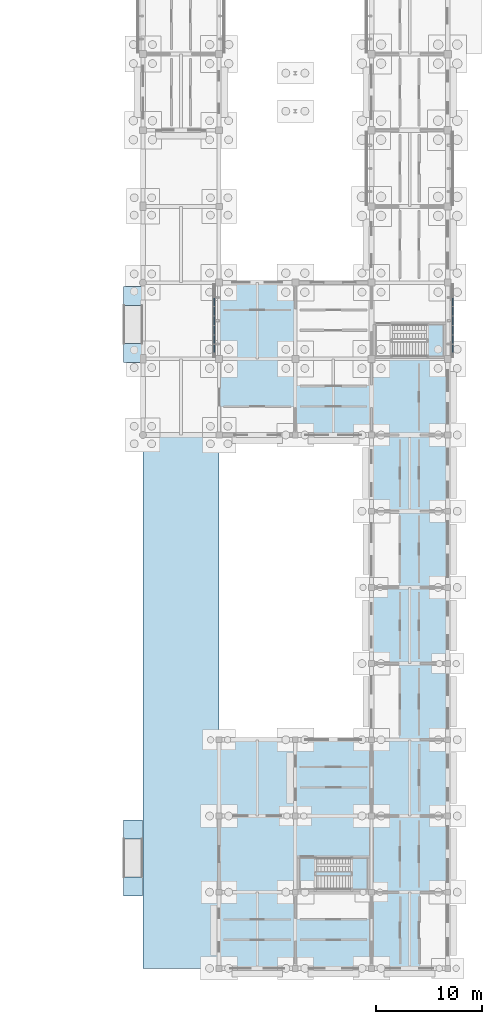
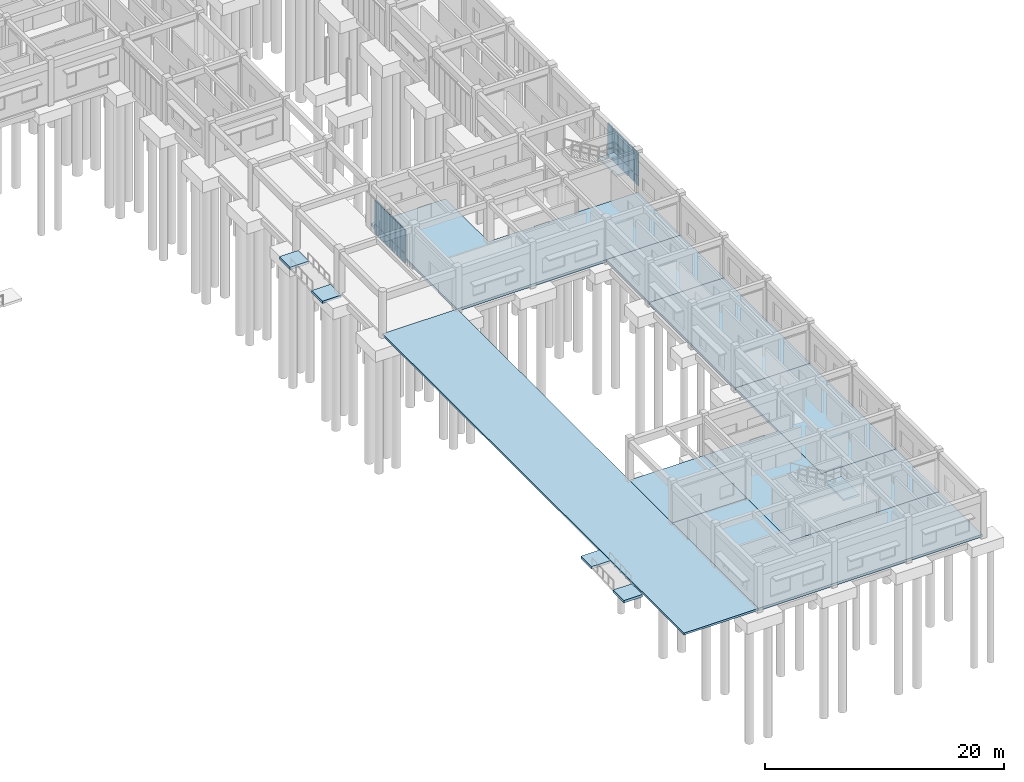
# One storey, part 55 of 111: 24 plates, 14 slabs, 4 elements without a shape of their own.
"""IFC4 building model written with IfcOpenShell, lengths in metres."""

from ifc_helpers import new_model, si_unit, direction, frame, origin, origin_2d, place, context, subcontext, project, spatial, polyline, rectangle, outline, extrude, material, layer, layer_set, type_object, element, aggregate, save


model = new_model("IFC4")

# Units and contexts
model_context = context("Model", 3, precision=1e-05, world=origin(), true_north=direction((0.0, 1.0)))
body_context = subcontext(model_context, "Body", "Model", "MODEL_VIEW")
ifc_project = project(units=[si_unit("LENGTHUNIT", "METRE"), si_unit("AREAUNIT", "SQUARE_METRE"), si_unit("VOLUMEUNIT", "CUBIC_METRE"), si_unit("PLANEANGLEUNIT", "RADIAN"), si_unit("MASSUNIT", "GRAM", prefix="KILO")], contexts=[model_context])

# Site, building, storey
site_placement = place(None, origin())
site = spatial("IfcSite", under=ifc_project, at=site_placement, CompositionType="ELEMENT")
building_placement = place(site_placement, origin())
building = spatial("IfcBuilding", under=site, at=building_placement, Name="Aldebral Square Health Centre", CompositionType="ELEMENT")
storey_placement = place(building_placement, origin())
storey = spatial("IfcBuildingStorey", under=building, at=storey_placement, Name="L00", CompositionType="ELEMENT", Elevation=0.0)

# Curtain wall, plates
ifc_material_1 = material(Name="Aluminium and low-E solar glass", Category="aluminium")
curtain_wall_type = type_object("IfcCurtainWallType", Name="CW-FIN-SYS", PredefinedType="USERDEFINED", material=ifc_material_1)
curtain_wall_1_placement = place(storey_placement, origin())
curtain_wall_1 = element("IfcCurtainWall", 1, at=curtain_wall_1_placement, inside=storey, type_object=curtain_wall_type, Name="L00 V5 finned curtain wall L00-V5-20-08-W", ObjectType="SOLAR_CURTAIN_WALL", PredefinedType="USERDEFINED")
ifc_material_2 = material(Name="Solar-control low-E double glass", Category="glass")
ifc_layer_1 = layer(ifc_material_2, 0.080078125, Name="Solar-control low-E double glass", Category="glass")
ifc_layer_set_1 = layer_set([ifc_layer_1], Name="Solar-control low-E double glass")
plate_type_1 = type_object("IfcPlateType", Name="CWP-GLZ-7", PredefinedType="CURTAIN_PANEL", material=ifc_layer_set_1)
plate_1_placement = place(storey_placement, frame((143.5400390625, 62.98291015625, 0.074951171875), z_axis=(0.0, 0.0, 1.0), x_axis=(0.0, -1.0, 0.0)))
plate_1 = element("IfcPlate", 2, at=plate_1_placement, type_object=plate_type_1, Name="CW1 panel 2.1", PredefinedType="CURTAIN_PANEL", context=body_context, shape_type="SweptSolid", body=[
    extrude(rectangle(XDim=0.7314453125, YDim=0.080078125, at=origin_2d()), origin(), (0.0, 0.0, 1.0), 0.9375),
])
plate_2_placement = place(storey_placement, frame((143.5400390625, 62.98291015625, 1.087646484375), z_axis=(0.0, 0.0, 1.0), x_axis=(0.0, -1.0, 0.0)))
plate_2 = element("IfcPlate", 3, at=plate_2_placement, type_object=plate_type_1, Name="CW1 panel 2.2", PredefinedType="CURTAIN_PANEL", context=body_context, shape_type="SweptSolid", body=[
    extrude(rectangle(XDim=0.7314453125, YDim=0.080078125, at=origin_2d()), origin(), (0.0, 0.0, 1.0), 2.357421875),
])
plate_3_placement = place(storey_placement, frame((143.5400390625, 62.09130859375, 0.074951171875), z_axis=(0.0, 0.0, 1.0), x_axis=(0.0, -1.0, 0.0)))
plate_3 = element("IfcPlate", 4, at=plate_3_placement, type_object=plate_type_1, Name="CW1 panel 3.1", PredefinedType="CURTAIN_PANEL", context=body_context, shape_type="SweptSolid", body=[
    extrude(rectangle(XDim=0.7314453125, YDim=0.080078125, at=origin_2d()), origin(), (0.0, 0.0, 1.0), 0.9375),
])
plate_4_placement = place(storey_placement, frame((143.5400390625, 62.09130859375, 1.087646484375), z_axis=(0.0, 0.0, 1.0), x_axis=(0.0, -1.0, 0.0)))
plate_4 = element("IfcPlate", 5, at=plate_4_placement, type_object=plate_type_1, Name="CW1 panel 3.2", PredefinedType="CURTAIN_PANEL", context=body_context, shape_type="SweptSolid", body=[
    extrude(rectangle(XDim=0.7314453125, YDim=0.080078125, at=origin_2d()), origin(), (0.0, 0.0, 1.0), 2.357421875),
])
plate_5_placement = place(storey_placement, frame((143.5400390625, 61.199951171875, 0.074951171875), z_axis=(0.0, 0.0, 1.0), x_axis=(0.0, -1.0, 0.0)))
plate_5 = element("IfcPlate", 6, at=plate_5_placement, type_object=plate_type_1, Name="CW1 panel 4.1", PredefinedType="CURTAIN_PANEL", context=body_context, shape_type="SweptSolid", body=[
    extrude(rectangle(XDim=0.7314453125, YDim=0.080078125, at=origin_2d()), origin(), (0.0, 0.0, 1.0), 0.9375),
])
plate_6_placement = place(storey_placement, frame((143.5400390625, 61.199951171875, 1.087646484375), z_axis=(0.0, 0.0, 1.0), x_axis=(0.0, -1.0, 0.0)))
plate_6 = element("IfcPlate", 7, at=plate_6_placement, type_object=plate_type_1, Name="CW1 panel 4.2", PredefinedType="CURTAIN_PANEL", context=body_context, shape_type="SweptSolid", body=[
    extrude(rectangle(XDim=0.7314453125, YDim=0.080078125, at=origin_2d()), origin(), (0.0, 0.0, 1.0), 2.357421875),
])
plate_7_placement = place(storey_placement, frame((143.5400390625, 60.30859375, 0.074951171875), z_axis=(0.0, 0.0, 1.0), x_axis=(0.0, -1.0, 0.0)))
plate_7 = element("IfcPlate", 8, at=plate_7_placement, type_object=plate_type_1, Name="CW1 panel 5.1", PredefinedType="CURTAIN_PANEL", context=body_context, shape_type="SweptSolid", body=[
    extrude(rectangle(XDim=0.7314453125, YDim=0.080078125, at=origin_2d()), origin(), (0.0, 0.0, 1.0), 0.9375),
])
plate_8_placement = place(storey_placement, frame((143.5400390625, 60.30859375, 1.087646484375), z_axis=(0.0, 0.0, 1.0), x_axis=(0.0, -1.0, 0.0)))
plate_8 = element("IfcPlate", 9, at=plate_8_placement, type_object=plate_type_1, Name="CW1 panel 5.2", PredefinedType="CURTAIN_PANEL", context=body_context, shape_type="SweptSolid", body=[
    extrude(rectangle(XDim=0.7314453125, YDim=0.080078125, at=origin_2d()), origin(), (0.0, 0.0, 1.0), 2.357421875),
])
plate_9_placement = place(storey_placement, frame((143.5400390625, 59.417236328125, 0.074951171875), z_axis=(0.0, 0.0, 1.0), x_axis=(0.0, -1.0, 0.0)))
plate_9 = element("IfcPlate", 10, at=plate_9_placement, type_object=plate_type_1, Name="CW1 panel 6.1", PredefinedType="CURTAIN_PANEL", context=body_context, shape_type="SweptSolid", body=[
    extrude(rectangle(XDim=0.7314453125, YDim=0.080078125, at=origin_2d()), origin(), (0.0, 0.0, 1.0), 0.9375),
])
plate_10_placement = place(storey_placement, frame((143.5400390625, 59.417236328125, 1.087646484375), z_axis=(0.0, 0.0, 1.0), x_axis=(0.0, -1.0, 0.0)))
plate_10 = element("IfcPlate", 11, at=plate_10_placement, type_object=plate_type_1, Name="CW1 panel 6.2", PredefinedType="CURTAIN_PANEL", context=body_context, shape_type="SweptSolid", body=[
    extrude(rectangle(XDim=0.7314453125, YDim=0.080078125, at=origin_2d()), origin(), (0.0, 0.0, 1.0), 2.357421875),
])
plate_11_placement = place(storey_placement, frame((143.5400390625, 58.565673828125, 0.074951171875), z_axis=(0.0, 0.0, 1.0), x_axis=(0.0, -1.0, 0.0)))
plate_11 = element("IfcPlate", 12, at=plate_11_placement, type_object=plate_type_1, Name="CW1 panel 7.1", PredefinedType="CURTAIN_PANEL", context=body_context, shape_type="SweptSolid", body=[
    extrude(rectangle(XDim=0.6513671875, YDim=0.080078125, at=origin_2d()), origin(), (0.0, 0.0, 1.0), 0.9375),
])
plate_12_placement = place(storey_placement, frame((143.5400390625, 58.565673828125, 1.087646484375), z_axis=(0.0, 0.0, 1.0), x_axis=(0.0, -1.0, 0.0)))
plate_12 = element("IfcPlate", 13, at=plate_12_placement, type_object=plate_type_1, Name="CW1 panel 7.2", PredefinedType="CURTAIN_PANEL", context=body_context, shape_type="SweptSolid", body=[
    extrude(rectangle(XDim=0.6513671875, YDim=0.080078125, at=origin_2d()), origin(), (0.0, 0.0, 1.0), 2.357421875),
])
aggregate(curtain_wall_1, [plate_1, plate_2, plate_3, plate_4, plate_5, plate_6, plate_7, plate_8, plate_9, plate_10, plate_11, plate_12])

curtain_wall_2_placement = place(storey_placement, origin())
curtain_wall_2 = element("IfcCurtainWall", 14, at=curtain_wall_2_placement, inside=storey, type_object=curtain_wall_type, Name="L00 V5 finned curtain wall L00-V5-22-08-E", ObjectType="SOLAR_CURTAIN_WALL", PredefinedType="USERDEFINED")
ifc_layer_2 = layer(ifc_material_2, 0.090087890625, Name="Solar-control low-E double glass", Category="glass")
ifc_layer_set_2 = layer_set([ifc_layer_2], Name="Solar-control low-E double glass")
plate_type_2 = type_object("IfcPlateType", Name="CWP-GLZ-8", PredefinedType="CURTAIN_PANEL", material=ifc_layer_set_2)
plate_13_placement = place(storey_placement, frame((166.06005859375, 58.565673828125, 0.074951171875), z_axis=(0.0, 0.0, 1.0), x_axis=(0.0, 1.0, 0.0)))
plate_13 = element("IfcPlate", 15, at=plate_13_placement, type_object=plate_type_2, Name="CW1 panel 1.1", PredefinedType="CURTAIN_PANEL", context=body_context, shape_type="SweptSolid", body=[
    extrude(rectangle(XDim=0.6513671875, YDim=0.090087890625, at=origin_2d()), origin(), (0.0, 0.0, 1.0), 0.9375),
])
plate_14_placement = place(storey_placement, frame((166.06005859375, 58.565673828125, 1.087646484375), z_axis=(0.0, 0.0, 1.0), x_axis=(0.0, 1.0, 0.0)))
plate_14 = element("IfcPlate", 16, at=plate_14_placement, type_object=plate_type_2, Name="CW1 panel 1.2", PredefinedType="CURTAIN_PANEL", context=body_context, shape_type="SweptSolid", body=[
    extrude(rectangle(XDim=0.6513671875, YDim=0.090087890625, at=origin_2d()), origin(), (0.0, 0.0, 1.0), 2.357421875),
])
plate_15_placement = place(storey_placement, frame((166.06005859375, 59.417236328125, 0.074951171875), z_axis=(0.0, 0.0, 1.0), x_axis=(0.0, 1.0, 0.0)))
plate_15 = element("IfcPlate", 17, at=plate_15_placement, type_object=plate_type_2, Name="CW1 panel 2.1", PredefinedType="CURTAIN_PANEL", context=body_context, shape_type="SweptSolid", body=[
    extrude(rectangle(XDim=0.7314453125, YDim=0.090087890625, at=origin_2d()), origin(), (0.0, 0.0, 1.0), 0.9375),
])
plate_16_placement = place(storey_placement, frame((166.06005859375, 59.417236328125, 1.087646484375), z_axis=(0.0, 0.0, 1.0), x_axis=(0.0, 1.0, 0.0)))
plate_16 = element("IfcPlate", 18, at=plate_16_placement, type_object=plate_type_2, Name="CW1 panel 2.2", PredefinedType="CURTAIN_PANEL", context=body_context, shape_type="SweptSolid", body=[
    extrude(rectangle(XDim=0.7314453125, YDim=0.090087890625, at=origin_2d()), origin(), (0.0, 0.0, 1.0), 2.357421875),
])
plate_17_placement = place(storey_placement, frame((166.06005859375, 60.30859375, 0.074951171875), z_axis=(0.0, 0.0, 1.0), x_axis=(0.0, 1.0, 0.0)))
plate_17 = element("IfcPlate", 19, at=plate_17_placement, type_object=plate_type_2, Name="CW1 panel 3.1", PredefinedType="CURTAIN_PANEL", context=body_context, shape_type="SweptSolid", body=[
    extrude(rectangle(XDim=0.7314453125, YDim=0.090087890625, at=origin_2d()), origin(), (0.0, 0.0, 1.0), 0.9375),
])
plate_18_placement = place(storey_placement, frame((166.06005859375, 60.30859375, 1.087646484375), z_axis=(0.0, 0.0, 1.0), x_axis=(0.0, 1.0, 0.0)))
plate_18 = element("IfcPlate", 20, at=plate_18_placement, type_object=plate_type_2, Name="CW1 panel 3.2", PredefinedType="CURTAIN_PANEL", context=body_context, shape_type="SweptSolid", body=[
    extrude(rectangle(XDim=0.7314453125, YDim=0.090087890625, at=origin_2d()), origin(), (0.0, 0.0, 1.0), 2.357421875),
])
plate_19_placement = place(storey_placement, frame((166.06005859375, 61.199951171875, 0.074951171875), z_axis=(0.0, 0.0, 1.0), x_axis=(0.0, 1.0, 0.0)))
plate_19 = element("IfcPlate", 21, at=plate_19_placement, type_object=plate_type_2, Name="CW1 panel 4.1", PredefinedType="CURTAIN_PANEL", context=body_context, shape_type="SweptSolid", body=[
    extrude(rectangle(XDim=0.7314453125, YDim=0.090087890625, at=origin_2d()), origin(), (0.0, 0.0, 1.0), 0.9375),
])
plate_20_placement = place(storey_placement, frame((166.06005859375, 61.199951171875, 1.087646484375), z_axis=(0.0, 0.0, 1.0), x_axis=(0.0, 1.0, 0.0)))
plate_20 = element("IfcPlate", 22, at=plate_20_placement, type_object=plate_type_2, Name="CW1 panel 4.2", PredefinedType="CURTAIN_PANEL", context=body_context, shape_type="SweptSolid", body=[
    extrude(rectangle(XDim=0.7314453125, YDim=0.090087890625, at=origin_2d()), origin(), (0.0, 0.0, 1.0), 2.357421875),
])
plate_21_placement = place(storey_placement, frame((166.06005859375, 62.09130859375, 0.074951171875), z_axis=(0.0, 0.0, 1.0), x_axis=(0.0, 1.0, 0.0)))
plate_21 = element("IfcPlate", 23, at=plate_21_placement, type_object=plate_type_2, Name="CW1 panel 5.1", PredefinedType="CURTAIN_PANEL", context=body_context, shape_type="SweptSolid", body=[
    extrude(rectangle(XDim=0.7314453125, YDim=0.090087890625, at=origin_2d()), origin(), (0.0, 0.0, 1.0), 0.9375),
])
plate_22_placement = place(storey_placement, frame((166.06005859375, 62.09130859375, 1.087646484375), z_axis=(0.0, 0.0, 1.0), x_axis=(0.0, 1.0, 0.0)))
plate_22 = element("IfcPlate", 24, at=plate_22_placement, type_object=plate_type_2, Name="CW1 panel 5.2", PredefinedType="CURTAIN_PANEL", context=body_context, shape_type="SweptSolid", body=[
    extrude(rectangle(XDim=0.7314453125, YDim=0.090087890625, at=origin_2d()), origin(), (0.0, 0.0, 1.0), 2.357421875),
])
plate_23_placement = place(storey_placement, frame((166.06005859375, 62.98291015625, 0.074951171875), z_axis=(0.0, 0.0, 1.0), x_axis=(0.0, 1.0, 0.0)))
plate_23 = element("IfcPlate", 25, at=plate_23_placement, type_object=plate_type_2, Name="CW1 panel 6.1", PredefinedType="CURTAIN_PANEL", context=body_context, shape_type="SweptSolid", body=[
    extrude(rectangle(XDim=0.7314453125, YDim=0.090087890625, at=origin_2d()), origin(), (0.0, 0.0, 1.0), 0.9375),
])
plate_24_placement = place(storey_placement, frame((166.06005859375, 62.98291015625, 1.087646484375), z_axis=(0.0, 0.0, 1.0), x_axis=(0.0, 1.0, 0.0)))
plate_24 = element("IfcPlate", 26, at=plate_24_placement, type_object=plate_type_2, Name="CW1 panel 6.2", PredefinedType="CURTAIN_PANEL", context=body_context, shape_type="SweptSolid", body=[
    extrude(rectangle(XDim=0.7314453125, YDim=0.090087890625, at=origin_2d()), origin(), (0.0, 0.0, 1.0), 2.357421875),
])
aggregate(curtain_wall_2, [plate_13, plate_14, plate_15, plate_16, plate_17, plate_18, plate_19, plate_20, plate_21, plate_22, plate_23, plate_24])

# Slabs
ifc_material_3 = material(Name="Concrete C35/45", Category="concrete")
ifc_layer_3 = layer(ifc_material_3, 0.25, Name="Concrete C35/45", Category="concrete")
ifc_layer_set_3 = layer_set([ifc_layer_3], Name="Concrete C35/45")
slab_type_1 = type_object("IfcSlabType", Name="SL-BASE-250", PredefinedType="BASESLAB", material=ifc_layer_set_3)
slab_1_placement = place(storey_placement, frame((0.0, 0.0, -0.25)))
element("IfcSlab", 27, at=slab_1_placement, inside=storey, type_object=slab_type_1, Name="L00 V3 base slab 1", PredefinedType="BASESLAB", context=body_context, shape_type="SweptSolid", body=[
    extrude(outline(polyline([(144.0, 7.199951171875), (144.0, 14.39990234375), (151.199951171875, 14.39990234375), (151.199951171875, 7.199951171875), (158.39990234375, 7.199951171875), (165.60009765625, 7.199951171875), (165.60009765625, 0.0), (158.39990234375, 0.0), (151.199951171875, 0.0), (144.0, 0.0), (144.0, 7.199951171875)])), origin(), (0.0, 0.0, 1.0), 0.25),
])
slab_2_placement = place(storey_placement, frame((0.0, 0.0, -0.25)))
element("IfcSlab", 28, at=slab_2_placement, inside=storey, type_object=slab_type_1, Name="L00 V3 base slab 2", PredefinedType="BASESLAB", context=body_context, shape_type="SweptSolid", body=[
    extrude(outline(polyline([(151.199951171875, 7.199951171875), (151.199951171875, 14.39990234375), (151.199951171875, 21.60009765625), (158.39990234375, 21.60009765625), (158.39990234375, 14.39990234375), (165.60009765625, 14.39990234375), (165.60009765625, 7.199951171875), (158.39990234375, 7.199951171875), (151.199951171875, 7.199951171875)])), origin(), (0.0, 0.0, 1.0), 0.25),
])
slab_3_placement = place(storey_placement, frame((0.0, 0.0, -0.25)))
element("IfcSlab", 29, at=slab_3_placement, inside=storey, type_object=slab_type_1, Name="L00 V3 base slab 3", PredefinedType="BASESLAB", context=body_context, shape_type="SweptSolid", body=[
    extrude(outline(polyline([(165.60009765625, 14.39990234375), (158.39990234375, 14.39990234375), (158.39990234375, 21.60009765625), (158.39990234375, 28.800048828125), (165.60009765625, 28.800048828125), (165.60009765625, 21.60009765625), (165.60009765625, 14.39990234375)])), origin(), (0.0, 0.0, 1.0), 0.25),
])
slab_4_placement = place(storey_placement, frame((0.0, 0.0, -0.25)))
element("IfcSlab", 30, at=slab_4_placement, inside=storey, type_object=slab_type_1, Name="L00 V3 base slab 4", PredefinedType="BASESLAB", context=body_context, shape_type="SweptSolid", body=[
    extrude(outline(polyline([(165.60009765625, 28.800048828125), (158.39990234375, 28.800048828125), (158.39990234375, 36.0), (158.39990234375, 43.199951171875), (165.60009765625, 43.199951171875), (165.60009765625, 36.0), (165.60009765625, 28.800048828125)])), origin(), (0.0, 0.0, 1.0), 0.25),
])
slab_5_placement = place(storey_placement, frame((0.0, 0.0, -0.25)))
element("IfcSlab", 31, at=slab_5_placement, inside=storey, type_object=slab_type_1, Name="L00 V3 base slab 5", PredefinedType="BASESLAB", context=body_context, shape_type="SweptSolid", body=[
    extrude(outline(polyline([(165.60009765625, 43.199951171875), (165.60009765625, 50.39990234375), (158.39990234375, 50.39990234375), (158.39990234375, 43.199951171875), (165.60009765625, 43.199951171875)])), origin(), (0.0, 0.0, 1.0), 0.25),
])
slab_6_placement = place(storey_placement, frame((0.0, 0.0, -0.25)))
element("IfcSlab", 32, at=slab_6_placement, inside=storey, type_object=slab_type_1, Name="L00 V5 base slab 6", PredefinedType="BASESLAB", context=body_context, shape_type="SweptSolid", body=[
    extrude(outline(polyline([(144.0, 57.60009765625), (144.0, 64.800048828125), (151.199951171875, 64.800048828125), (151.199951171875, 57.60009765625), (158.39990234375, 57.60009765625), (165.60009765625, 57.60009765625), (165.60009765625, 50.39990234375), (158.39990234375, 50.39990234375), (151.199951171875, 50.39990234375), (144.0, 50.39990234375), (144.0, 57.60009765625)])), origin(), (0.0, 0.0, 1.0), 0.25),
])
slab_7_placement = place(storey_placement, frame((0.0, 0.0, -0.429931640625)))
element("IfcSlab", 33, at=slab_7_placement, inside=storey, type_object=slab_type_1, Name="Therapy Pavilion Square Ramp lower approach landing", PredefinedType="BASESLAB", context=body_context, shape_type="SweptSolid", body=[
    extrude(outline(polyline([(136.75, 6.840087890625), (136.75, 8.639892578125), (134.949951171875, 8.639892578125), (134.949951171875, 6.840087890625), (136.75, 6.840087890625)])), origin(), (0.0, 0.0, 1.0), 0.25),
])
slab_8_placement = place(storey_placement, frame((0.0, 0.0, -0.25)))
element("IfcSlab", 34, at=slab_8_placement, inside=storey, type_object=slab_type_1, Name="Therapy Pavilion Square Ramp upper threshold landing", PredefinedType="BASESLAB", context=body_context, shape_type="SweptSolid", body=[
    extrude(outline(polyline([(136.75, 12.239990234375), (136.75, 14.0400390625), (134.949951171875, 14.0400390625), (134.949951171875, 12.239990234375), (136.75, 12.239990234375)])), origin(), (0.0, 0.0, 1.0), 0.25),
])
slab_9_placement = place(storey_placement, frame((0.0, 0.0, -0.429931640625)))
element("IfcSlab", 35, at=slab_9_placement, inside=storey, type_object=slab_type_1, Name="East Clinic Colonnade Ramp lower approach landing", PredefinedType="BASESLAB", context=body_context, shape_type="SweptSolid", body=[
    extrude(outline(polyline([(136.75, 57.239990234375), (136.75, 59.0400390625), (134.949951171875, 59.0400390625), (134.949951171875, 57.239990234375), (136.75, 57.239990234375)])), origin(), (0.0, 0.0, 1.0), 0.25),
])
slab_10_placement = place(storey_placement, frame((0.0, 0.0, -0.25)))
element("IfcSlab", 36, at=slab_10_placement, inside=storey, type_object=slab_type_1, Name="East Clinic Colonnade Ramp upper threshold landing", PredefinedType="BASESLAB", context=body_context, shape_type="SweptSolid", body=[
    extrude(outline(polyline([(136.75, 62.639892578125), (136.75, 64.43994140625), (134.949951171875, 64.43994140625), (134.949951171875, 62.639892578125), (136.75, 62.639892578125)])), origin(), (0.0, 0.0, 1.0), 0.25),
])
ifc_layer_4 = layer(ifc_material_3, 0.199951171875, Name="Concrete C35/45", Category="concrete")
ifc_layer_set_4 = layer_set([ifc_layer_4], Name="Concrete C35/45")
slab_type_2 = type_object("IfcSlabType", Name="SL-COL-200", PredefinedType="USERDEFINED", material=ifc_layer_set_4)
slab_11_placement = place(storey_placement, frame((0.0, 0.0, -0.199951171875)))
element("IfcSlab", 37, at=slab_11_placement, inside=storey, type_object=slab_type_2, Name="Aldebral Square colonnade paving 3", ObjectType="PAVING", PredefinedType="USERDEFINED", context=body_context, shape_type="SweptSolid", body=[
    extrude(outline(polyline([(151.199951171875, 14.39990234375), (144.0, 14.39990234375), (144.0, 21.60009765625), (151.199951171875, 21.60009765625), (151.199951171875, 14.39990234375)])), origin(), (0.0, 0.0, 1.0), 0.199951171875),
])
slab_12_placement = place(storey_placement, frame((0.0, 0.0, -0.199951171875)))
element("IfcSlab", 38, at=slab_12_placement, inside=storey, type_object=slab_type_2, Name="Ground entrance apron APR-E-V3.1", ObjectType="PAVING", PredefinedType="USERDEFINED", context=body_context, shape_type="SweptSolid", body=[
    extrude(outline(polyline([(144.0, 0.0), (136.800048828125, 0.0), (136.800048828125, 50.39990234375), (144.0, 50.39990234375), (144.0, 21.60009765625), (144.0, 14.39990234375), (144.0, 7.199951171875), (144.0, 0.0)])), origin(), (0.0, 0.0, 1.0), 0.199951171875),
])

# Stair, slab
stair_type = type_object("IfcStairType", Name="ST-DOG-140", PredefinedType="HALF_TURN_STAIR", material=ifc_material_3)
stair_1_placement = place(storey_placement, origin())
stair_1 = element("IfcStair", 39, at=stair_1_placement, inside=storey, type_object=stair_type, Name="L00 ST-08", PredefinedType="HALF_TURN_STAIR")
ifc_layer_5 = layer(ifc_material_3, 0.199951171875, Name="Concrete C35/45", Category="concrete")
ifc_layer_set_5 = layer_set([ifc_layer_5], Name="Concrete C35/45")
slab_type_3 = type_object("IfcSlabType", Name="SL-LND-200", PredefinedType="LANDING", material=ifc_layer_set_5)
slab_13_placement = place(storey_placement, frame((0.0, 0.0, 2.050048828125)))
slab_13 = element("IfcSlab", 40, at=slab_13_placement, type_object=slab_type_3, Name="ST-08 landing 1", PredefinedType="LANDING", context=body_context, shape_type="SweptSolid", body=[
    extrude(outline(polyline([(156.5, 7.43994140625), (158.02001953125, 7.43994140625), (158.02001953125, 10.43994140625), (156.5, 10.43994140625), (156.5, 7.43994140625)])), origin(), (0.0, 0.0, 1.0), 0.199951171875),
])
aggregate(stair_1, [slab_13])

stair_2_placement = place(storey_placement, origin())
stair_2 = element("IfcStair", 41, at=stair_2_placement, inside=storey, type_object=stair_type, Name="L00 ST-09", PredefinedType="HALF_TURN_STAIR")
slab_14_placement = place(storey_placement, frame((0.0, 0.0, 2.050048828125)))
slab_14 = element("IfcSlab", 42, at=slab_14_placement, type_object=slab_type_3, Name="ST-09 landing 1", PredefinedType="LANDING", context=body_context, shape_type="SweptSolid", body=[
    extrude(outline(polyline([(163.699951171875, 57.840087890625), (165.219970703125, 57.840087890625), (165.219970703125, 60.840087890625), (163.699951171875, 60.840087890625), (163.699951171875, 57.840087890625)])), origin(), (0.0, 0.0, 1.0), 0.199951171875),
])
aggregate(stair_2, [slab_14])

save(model, "model.ifc")
